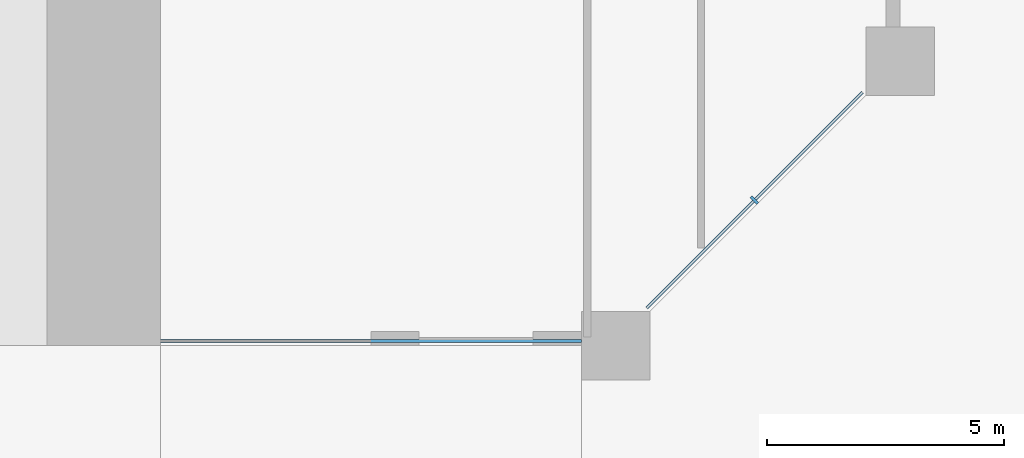
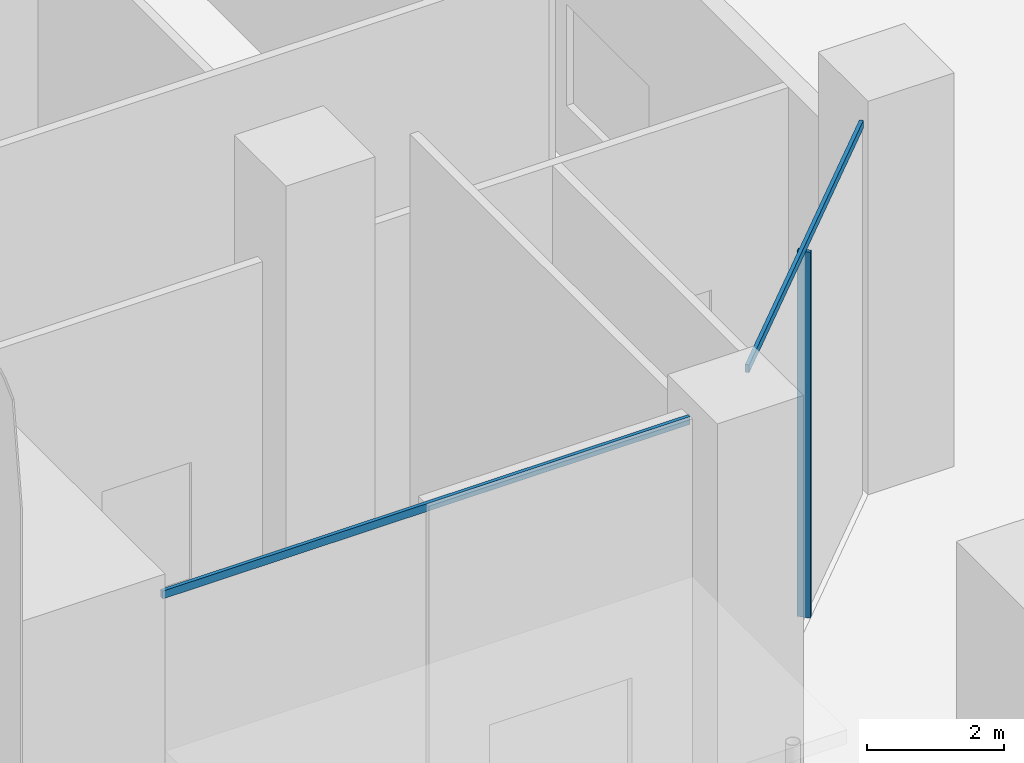
# One storey, part 12 of 32: 3 members, 2 elements without a shape of their own.
"""IFC4 building model written with IfcOpenShell, lengths in metres."""

from ifc_helpers import new_model, si_unit, direction, frame, origin, origin_2d, place, context, subcontext, project, spatial, rectangle, extrude, material, layer, layer_set, material_profile, profile_set, type_object, element, aggregate, save


model = new_model("IFC4")

# Units and contexts
model_context = context("Model", 3, precision=1e-05, world=origin(), true_north=direction((0.0, 1.0)))
body_context = subcontext(model_context, "Body", "Model", "MODEL_VIEW")
ifc_project = project(units=[si_unit("LENGTHUNIT", "METRE"), si_unit("AREAUNIT", "SQUARE_METRE"), si_unit("VOLUMEUNIT", "CUBIC_METRE"), si_unit("PLANEANGLEUNIT", "RADIAN"), si_unit("MASSUNIT", "GRAM", prefix="KILO")], contexts=[model_context])

# Site, building, storey
site_placement = place(None, origin())
site = spatial("IfcSite", under=ifc_project, at=site_placement, CompositionType="ELEMENT")
building_placement = place(site_placement, origin())
building = spatial("IfcBuilding", under=site, at=building_placement, Name="Kawkab Arch Medical Tower", CompositionType="ELEMENT")
storey_placement = place(building_placement, origin())
storey = spatial("IfcBuildingStorey", under=building, at=storey_placement, Name="L01", CompositionType="ELEMENT", Elevation=0.0)

# Curtain wall, members
ifc_material_1 = material(Name="Bronze anodised aluminium curtain wall frame", Category="aluminium")
ifc_layer = layer(ifc_material_1, 0.159912109375)
ifc_layer_set = layer_set([ifc_layer], Name="Bronze anodised aluminium curtain wall frame")
curtain_wall_type = type_object("IfcCurtainWallType", Name="CW5 podium green glass curtain wall", PredefinedType="NOTDEFINED", material=ifc_layer_set)
placement = place(storey_placement, origin())
curtain_wall_1 = element("IfcCurtainWall", 1, at=placement, inside=storey, type_object=curtain_wall_type, Name="CW5 Podium green glass curtain wall R14", PredefinedType="NOTDEFINED")
ifc_material_2 = material(Name="Bronze anodised aluminium curtain wall frame", Category="aluminium")
ifc_material_profile_1 = material_profile(ifc_material_2, rectangle(XDim=0.199951171875, YDim=0.06005859375, at=origin_2d()), Name="AL 60x200")
ifc_profile_set_1 = profile_set([ifc_material_profile_1], Name="Bronze anodised aluminium curtain wall frame")
member_type_1 = type_object("IfcMemberType", Name="CW5 mullion 60 x 200", PredefinedType="MULLION", material=ifc_profile_set_1)
member_1_placement = place(storey_placement, frame((89.329345703125, -30.529296875, 0.0), z_axis=(0.0, 0.0, 1.0), x_axis=(-0.707106781187, 0.707106781187, 0.0)))
member_1 = element("IfcMember", 2, at=member_1_placement, type_object=member_type_1, Name="CW5 mullion 1.1", PredefinedType="MULLION", context=body_context, shape_type="SweptSolid", body=[
    extrude(rectangle(XDim=0.199951171875, YDim=0.06005859375, at=origin_2d()), origin(), (0.0, 0.0, 1.0), 6.510009765625),
])
ifc_material_3 = material(Name="Bronze anodised aluminium curtain wall frame", Category="aluminium")
ifc_material_profile_2 = material_profile(ifc_material_3, rectangle(XDim=0.06005859375, YDim=0.139892578125, at=origin_2d()), Name="AL 60x140")
ifc_profile_set_2 = profile_set([ifc_material_profile_2], Name="Bronze anodised aluminium curtain wall frame")
member_type_2 = type_object("IfcMemberType", Name="CW5 transom 140 x 60", PredefinedType="USERDEFINED", material=ifc_profile_set_2)
member_2_placement = place(storey_placement, frame((87.05419921875, -32.80419921875, 6.580078125), z_axis=(0.707125751951, 0.707087809913, 0.0), x_axis=(-0.707087809913, 0.707125751951, 0.0)))
member_2 = element("IfcMember", 3, at=member_2_placement, type_object=member_type_2, Name="CW5 transom 1", ObjectType="TRANSOM", PredefinedType="USERDEFINED", context=body_context, shape_type="SweptSolid", body=[
    extrude(rectangle(XDim=0.06005859375, YDim=0.139892578125, at=origin_2d()), origin(), (0.0, 0.0, 1.0), 6.4345703125),
])
aggregate(curtain_wall_1, [member_2, member_1])

# Curtain wall, member
curtain_wall_2 = element("IfcCurtainWall", 4, at=placement, inside=storey, type_object=curtain_wall_type, Name="CW5 Podium green glass curtain wall R19", PredefinedType="NOTDEFINED")
member_3_placement = place(storey_placement, frame((76.800048828125, -33.5, 6.580078125), z_axis=(1.0, 0.0, 0.0), x_axis=(0.0, 1.0, 0.0)))
member_3 = element("IfcMember", 5, at=member_3_placement, type_object=member_type_2, Name="CW5 transom 1", ObjectType="TRANSOM", PredefinedType="USERDEFINED", context=body_context, shape_type="SweptSolid", body=[
    extrude(rectangle(XDim=0.06005859375, YDim=0.139892578125, at=origin_2d()), origin(), (0.0, 0.0, 1.0), 8.875),
])
aggregate(curtain_wall_2, [member_3])

save(model, "model.ifc")
